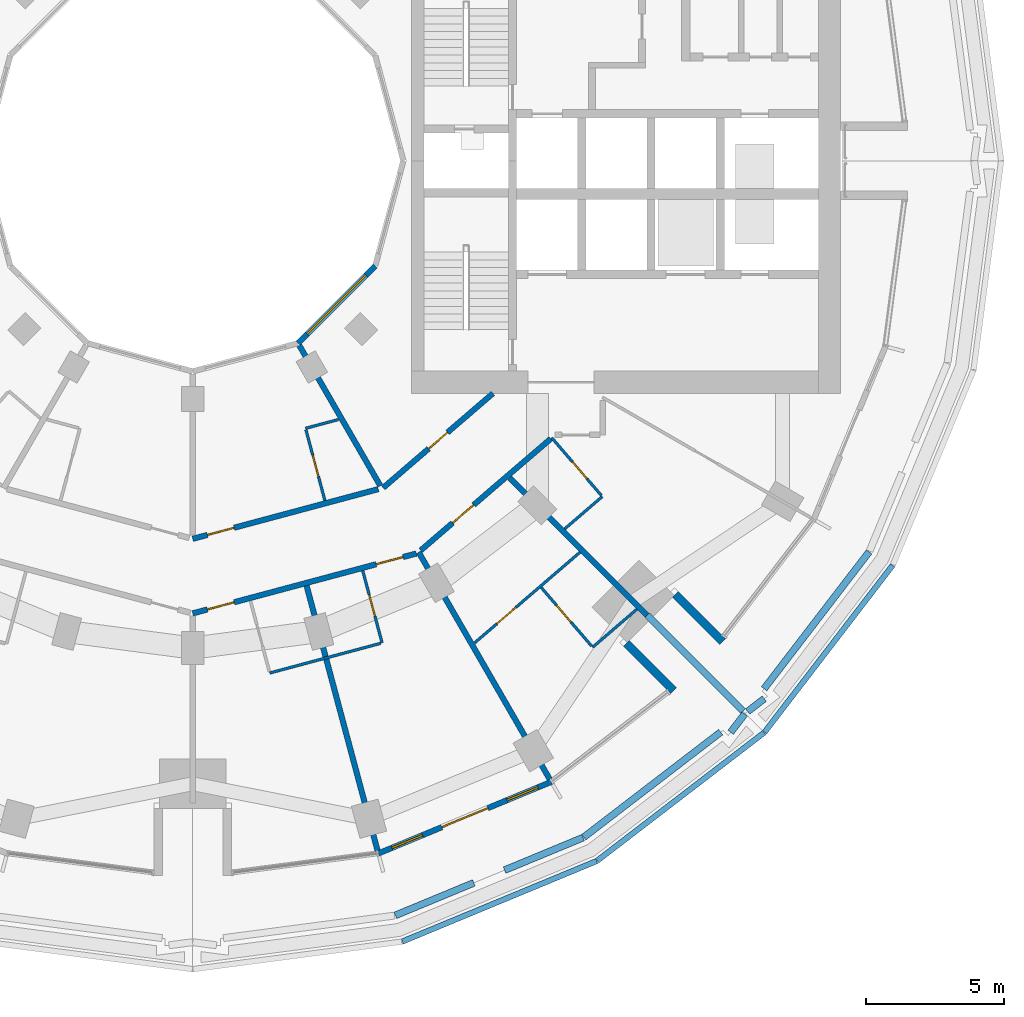
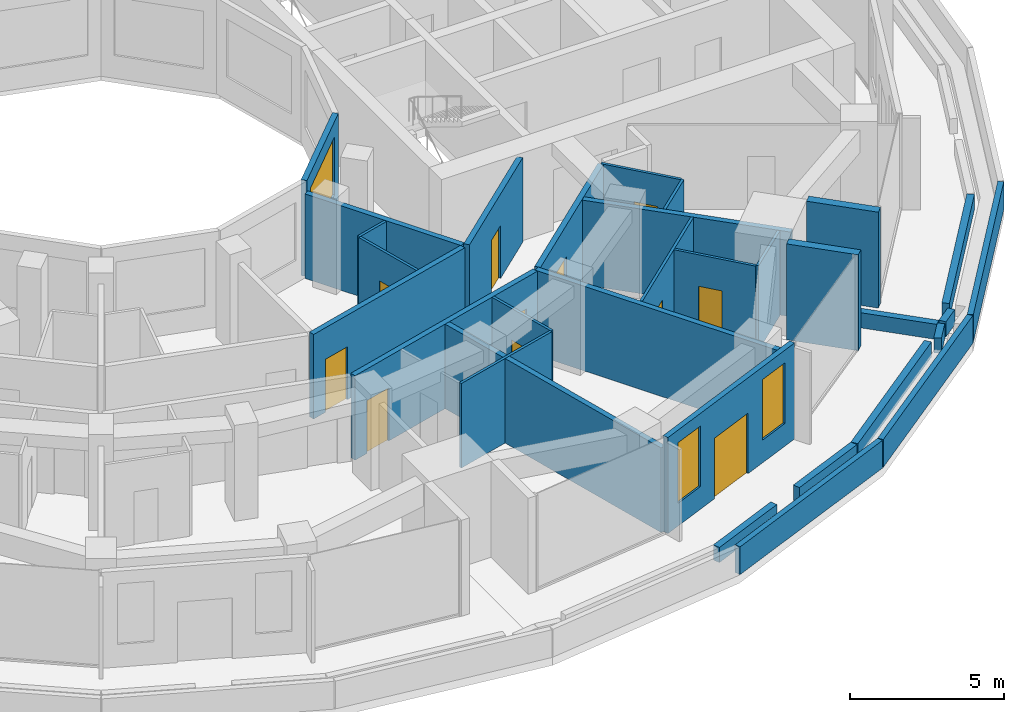
# One storey, part 12 of 19: 31 walls, 11 doors, 3 windows, 14 openings.
"""IFC4 building model written with IfcOpenShell, lengths in metres."""

from ifc_helpers import new_model, si_unit, direction, frame, frame_2d, origin, place, context, subcontext, project, spatial, rectangle, extrude, material, layer, layer_set, type_object, element, fill, save


model = new_model("IFC4")

# Units and contexts
model_context = context("Model", 3, precision=1e-05, world=origin(), true_north=direction((0.0, 1.0)))
body_context = subcontext(model_context, "Body", "Model", "MODEL_VIEW")
ifc_project = project(units=[si_unit("LENGTHUNIT", "METRE"), si_unit("AREAUNIT", "SQUARE_METRE"), si_unit("VOLUMEUNIT", "CUBIC_METRE"), si_unit("PLANEANGLEUNIT", "RADIAN"), si_unit("MASSUNIT", "GRAM", prefix="KILO")], contexts=[model_context])

# Site, building, storey
site_placement = place(None, origin())
site = spatial("IfcSite", under=ifc_project, at=site_placement, CompositionType="ELEMENT")
building_placement = place(site_placement, origin())
building = spatial("IfcBuilding", under=site, at=building_placement, Name="Torre Brocal", CompositionType="ELEMENT")
storey_placement = place(building_placement, frame((0.0, 0.0, 28.800048828125)))
storey = spatial("IfcBuildingStorey", under=building, at=storey_placement, Name="L05", CompositionType="ELEMENT", Elevation=28.800048828125)

# Wall, openings, door, windows
ifc_material_1 = material(Name="Concrete C40", Category="concrete")
ifc_layer_1 = layer(ifc_material_1, 0.199951171875)
ifc_layer_set_1 = layer_set([ifc_layer_1], Name="Concrete C40")
wall_type_1 = type_object("IfcWallType", Name="EXTERNAL WALL 200", PredefinedType="NOTDEFINED", material=ifc_layer_set_1)
wall_1_placement = place(storey_placement, frame((86.703125, 49.9833984375, 0.0), z_axis=(0.0, 0.0, 1.0), x_axis=(0.923875115043, 0.382694096902, 0.0)))
wall_1 = element("IfcWall", 1, at=wall_1_placement, inside=storey, type_object=wall_type_1, Name="EXTERNAL WALL", PredefinedType="NOTDEFINED", context=body_context, shape_type="SweptSolid", body=[
    extrude(rectangle(XDim=6.760986328125, YDim=0.199951171875, at=frame_2d((3.38037109375, 0.0))), origin(), (0.0, 0.0, 1.0), 3.800048828125),
])
opening_1_placement = place(wall_1_placement, frame((0.52685546875, 0.0, 0.89990234375)))
opening_1 = element("IfcOpeningElement", 2, at=opening_1_placement, cuts=wall_1, Name="Opening W3", PredefinedType="OPENING", context=body_context, shape_type="SweptSolid", body=[
    extrude(rectangle(XDim=1.199951171875, YDim=2.39990234375, at=frame_2d((0.60009765625, 1.199951171875))), frame((0.0, 0.10986328125, 0.0), z_axis=(0.0, -1.0, 0.0), x_axis=(1.0, 0.0, 0.0)), (0.0, 0.0, 1.0), 0.219970703125),
])
opening_2_placement = place(wall_1_placement, frame((2.48046875, 0.0, 0.0)))
opening_2 = element("IfcOpeningElement", 3, at=opening_2_placement, cuts=wall_1, Name="Opening L05-E07", PredefinedType="OPENING", context=body_context, shape_type="SweptSolid", body=[
    extrude(rectangle(XDim=1.800048828125, YDim=2.39990234375, at=frame_2d((0.89990234375, 1.199951171875))), frame((0.0, 0.10986328125, 0.0), z_axis=(0.0, -1.0, 0.0), x_axis=(1.0, 0.0, 0.0)), (0.0, 0.0, 1.0), 0.219970703125),
])
opening_3_placement = place(wall_1_placement, frame((5.0341796875, 0.0, 0.89990234375)))
opening_3 = element("IfcOpeningElement", 4, at=opening_3_placement, cuts=wall_1, Name="Opening W3", PredefinedType="OPENING", context=body_context, shape_type="SweptSolid", body=[
    extrude(rectangle(XDim=1.199951171875, YDim=2.39990234375, at=frame_2d((0.60009765625, 1.199951171875))), frame((0.0, 0.10986328125, 0.0), z_axis=(0.0, -1.0, 0.0), x_axis=(1.0, 0.0, 0.0)), (0.0, 0.0, 1.0), 0.219970703125),
])
ifc_material_2 = material(Name="Aluminium and glass", Category="aluminium")
door_type_1 = type_object("IfcDoorType", Name="TERRACE DOUBLE DOOR 1800X2400", OperationType="DOUBLE_DOOR_SINGLE_SWING", PredefinedType="DOOR", material=ifc_material_2)
door_1_placement = place(opening_2_placement, frame((1.800048828125, 0.0, 0.0), z_axis=(0.0, 0.0, 1.0), x_axis=(-1.0, 0.0, 0.0)))
door_1 = element("IfcDoor", 5, at=door_1_placement, inside=storey, type_object=door_type_1, Name="DOOR L05-E07", OperationType="DOUBLE_DOOR_SINGLE_SWING", OverallHeight=2.39990234375, OverallWidth=1.800048828125, PredefinedType="DOOR", context=body_context, shape_type="SweptSolid", body=[
    extrude(rectangle(XDim=1.800048828125, YDim=2.39990234375, at=frame_2d((0.89990234375, 1.199951171875))), frame((0.0, 0.02490234375, 0.0), z_axis=(0.0, -1.0, 0.0), x_axis=(1.0, 0.0, 0.0)), (0.0, 0.0, 1.0), 0.050048828125),
])
fill(opening_2, door_1)
ifc_material_3 = material(Name="Aluminium and glass", Category="aluminium")
window_type_1 = type_object("IfcWindowType", Name="TERRACE WINDOW 1200X2400", PartitioningType="SINGLE_PANEL", PredefinedType="WINDOW", material=ifc_material_3)
window_1_placement = place(opening_1_placement, origin())
window_1 = element("IfcWindow", 6, at=window_1_placement, inside=storey, type_object=window_type_1, Name="TERRACE WINDOW 1200X2400", OverallHeight=2.39990234375, OverallWidth=1.199951171875, PartitioningType="SINGLE_PANEL", PredefinedType="WINDOW", context=body_context, shape_type="SweptSolid", body=[
    extrude(rectangle(XDim=1.199951171875, YDim=2.39990234375, at=frame_2d((0.60009765625, 1.199951171875))), frame((0.0, 0.030029296875, 0.0), z_axis=(0.0, -1.0, 0.0), x_axis=(1.0, 0.0, 0.0)), (0.0, 0.0, 1.0), 0.06005859375),
])
fill(opening_1, window_1)
window_2_placement = place(opening_3_placement, origin())
window_2 = element("IfcWindow", 7, at=window_2_placement, inside=storey, type_object=window_type_1, Name="TERRACE WINDOW 1200X2400", OverallHeight=2.39990234375, OverallWidth=1.199951171875, PartitioningType="SINGLE_PANEL", PredefinedType="WINDOW", context=body_context, shape_type="SweptSolid", body=[
    extrude(rectangle(XDim=1.199951171875, YDim=2.39990234375, at=frame_2d((0.60009765625, 1.199951171875))), frame((0.0, 0.030029296875, 0.0), z_axis=(0.0, -1.0, 0.0), x_axis=(1.0, 0.0, 0.0)), (0.0, 0.0, 1.0), 0.06005859375),
])
fill(opening_3, window_2)

# Walls
ifc_material_4 = material(Name="Concrete C80", Category="concrete")
ifc_layer_2 = layer(ifc_material_4, 0.300048828125)
ifc_layer_set_2 = layer_set([ifc_layer_2], Name="Concrete C80")
wall_type_2 = type_object("IfcWallType", Name="NOTCH RETURN WALL 300 C80", PredefinedType="NOTDEFINED", material=ifc_layer_set_2)
for number, where, z_axis, x_axis, name in (
    (8, (95.662353515625, 57.56982421875, 0.0), (0.0, 0.0, 1.0), (0.707106781187, -0.707106781187, 0.0), "NOTCH RETURN WALL"),
    (9, (97.43017578125, 59.337646484375, 0.0), (0.0, 0.0, 1.0), (0.707106781187, -0.707106781187, 0.0), "NOTCH RETURN WALL"),
):
    element("IfcWall", number, at=place(storey_placement, frame(where, z_axis=z_axis, x_axis=x_axis)), inside=storey, type_object=wall_type_2, Name=name, PredefinedType="NOTDEFINED", context=body_context, shape_type="SweptSolid", body=[
        extrude(rectangle(XDim=2.415771484375, YDim=0.300048828125, at=frame_2d((1.2080078125, 0.0))), origin(), (0.0, 0.0, 1.0), 3.800048828125),
    ])
ifc_material_5 = material(Name="Concrete C40", Category="concrete")
ifc_layer_3 = layer(ifc_material_5, 0.199951171875)
ifc_layer_set_3 = layer_set([ifc_layer_3], Name="Concrete C40")
wall_type_3 = type_object("IfcWallType", Name="PARAPET WALL 200 THICK 1100 HIGH 6", PredefinedType="PARAPET", material=ifc_layer_set_3)
for number, where, z_axis, x_axis, name in (
    (10, (105.277587890625, 60.390869140625, 0.0), (0.0, 0.0, 1.0), (-0.608742572971, -0.793367808682, 0.0), "PARAPET WALL 3"),
    (11, (100.63525390625, 54.34619140625, 0.0), (0.0, 0.0, 1.0), (-0.793367808682, -0.608742572971, 0.0), "PARAPET WALL 4"),
):
    element("IfcWall", number, at=place(storey_placement, frame(where, z_axis=z_axis, x_axis=x_axis)), inside=storey, type_object=wall_type_3, Name=name, PredefinedType="PARAPET", context=body_context, shape_type="SweptSolid", body=[
        extrude(rectangle(XDim=7.595703125, YDim=0.199951171875, at=frame_2d((3.7978515625, 0.0))), origin(), (0.0, 0.0, 1.0), 1.099853515625),
    ])
wall_2_placement = place(storey_placement, frame((94.58642578125, 49.709228515625, 0.0), z_axis=(0.0, 0.0, 1.0), x_axis=(-0.923876582616, -0.382690553965, 0.0)))
element("IfcWall", 12, at=wall_2_placement, inside=storey, type_object=wall_type_3, Name="PARAPET WALL 5", PredefinedType="PARAPET", context=body_context, shape_type="SweptSolid", body=[
    extrude(rectangle(XDim=7.595458984375, YDim=0.199951171875, at=frame_2d((3.7978515625, 0.0))), origin(), (0.0, 0.0, 1.0), 1.099853515625),
])
ifc_material_6 = material(Name="Gypsum board", Category="Gypsum")
ifc_layer_4 = layer(ifc_material_6, 0.10009765625)
ifc_layer_set_4 = layer_set([ifc_layer_4], Name="Gypsum board")
wall_type_4 = type_object("IfcWallType", Name="PARTITION 100", PredefinedType="PARTITIONING", material=ifc_layer_set_4)
wall_3_placement = place(storey_placement, frame((82.781982421875, 56.5009765625, 0.0), z_axis=(0.0, 0.0, 1.0), x_axis=(0.965999228418, 0.258544949083, 0.0)))
element("IfcWall", 13, at=wall_3_placement, inside=storey, type_object=wall_type_4, Name="BATHROOM WALL", PredefinedType="PARTITIONING", context=body_context, shape_type="SweptSolid", body=[
    extrude(rectangle(XDim=4.150146484375, YDim=0.10009765625, at=frame_2d((2.0751953125, 0.0))), origin(), (0.0, 0.0, 1.0), 3.349853515625),
])

# Wall, opening, door
wall_4_placement = place(storey_placement, frame((84.0869140625, 65.288818359375, 0.0), z_axis=(0.0, 0.0, 1.0), x_axis=(0.258929459649, -0.965896234037, 0.0)))
wall_4 = element("IfcWall", 14, at=wall_4_placement, inside=storey, type_object=wall_type_4, Name="BATHROOM WALL", PredefinedType="PARTITIONING", context=body_context, shape_type="SweptSolid", body=[
    extrude(rectangle(XDim=2.650390625, YDim=0.10009765625, at=frame_2d((1.3251953125, 0.0))), origin(), (0.0, 0.0, 1.0), 3.349853515625),
])
opening_4_placement = place(wall_4_placement, frame((0.9501953125, 0.0, 0.0)))
opening_4 = element("IfcOpeningElement", 15, at=opening_4_placement, cuts=wall_4, Name="Opening H01-D45", PredefinedType="OPENING", context=body_context, shape_type="SweptSolid", body=[
    extrude(rectangle(XDim=0.800048828125, YDim=2.10009765625, at=frame_2d((0.39990234375, 1.050048828125))), frame((0.0, 0.06005859375, 0.0), z_axis=(0.0, -1.0, 0.0), x_axis=(1.0, 0.0, 0.0)), (0.0, 0.0, 1.0), 0.1201171875),
])
ifc_material_7 = material(Name="Timber", Category="wood")
door_type_2 = type_object("IfcDoorType", Name="BATHROOM DOOR 800X2100", OperationType="SINGLE_SWING_LEFT", PredefinedType="DOOR", material=ifc_material_7)
door_2_placement = place(opening_4_placement, origin())
door_2 = element("IfcDoor", 16, at=door_2_placement, inside=storey, type_object=door_type_2, Name="H01-D45", OperationType="SINGLE_SWING_RIGHT", OverallHeight=2.10009765625, OverallWidth=0.800048828125, PredefinedType="DOOR", context=body_context, shape_type="SweptSolid", body=[
    extrude(rectangle(XDim=0.800048828125, YDim=2.10009765625, at=frame_2d((0.39990234375, 1.050048828125))), frame((0.0, 0.02490234375, 0.0), z_axis=(0.0, -1.0, 0.0), x_axis=(1.0, 0.0, 0.0)), (0.0, 0.0, 1.0), 0.050048828125),
])
fill(opening_4, door_2)

# Wall
wall_5_placement = place(storey_placement, frame((84.073974609375, 65.3369140625, 0.0), z_axis=(0.0, 0.0, 1.0), x_axis=(0.965914351064, 0.258861867428, 0.0)))
element("IfcWall", 17, at=wall_5_placement, inside=storey, type_object=wall_type_4, Name="BATHROOM WALL", PredefinedType="PARTITIONING", context=body_context, shape_type="SweptSolid", body=[
    extrude(rectangle(XDim=1.22900390625, YDim=0.10009765625, at=frame_2d((0.614501953125, 0.0))), origin(), (0.0, 0.0, 1.0), 3.349853515625),
])

# Wall, opening, door
wall_6_placement = place(storey_placement, frame((86.139892578125, 60.196044921875, 0.0), z_axis=(0.0, 0.0, 1.0), x_axis=(0.258945475746, -0.965891940432, 0.0)))
wall_6 = element("IfcWall", 18, at=wall_6_placement, inside=storey, type_object=wall_type_4, Name="BATHROOM WALL", PredefinedType="PARTITIONING", context=body_context, shape_type="SweptSolid", body=[
    extrude(rectangle(XDim=2.7001953125, YDim=0.10009765625, at=frame_2d((1.35009765625, 0.0))), origin(), (0.0, 0.0, 1.0), 3.349853515625),
])
opening_5_placement = place(wall_6_placement, frame((0.89990234375, 0.0, 0.0)))
opening_5 = element("IfcOpeningElement", 19, at=opening_5_placement, cuts=wall_6, Name="Opening H01-D33", PredefinedType="OPENING", context=body_context, shape_type="SweptSolid", body=[
    extrude(rectangle(XDim=0.800048828125, YDim=2.10009765625, at=frame_2d((0.39990234375, 1.050048828125))), frame((0.0, 0.06005859375, 0.0), z_axis=(0.0, -1.0, 0.0), x_axis=(1.0, 0.0, 0.0)), (0.0, 0.0, 1.0), 0.1201171875),
])
door_3_placement = place(opening_5_placement, frame((0.800048828125, 0.0, 0.0), z_axis=(0.0, 0.0, 1.0), x_axis=(-1.0, 0.0, 0.0)))
door_3 = element("IfcDoor", 20, at=door_3_placement, inside=storey, type_object=door_type_2, Name="H01-D33", OperationType="SINGLE_SWING_RIGHT", OverallHeight=2.10009765625, OverallWidth=0.800048828125, PredefinedType="DOOR", context=body_context, shape_type="SweptSolid", body=[
    extrude(rectangle(XDim=0.800048828125, YDim=2.10009765625, at=frame_2d((0.39990234375, 1.050048828125))), frame((0.0, 0.02490234375, 0.0), z_axis=(0.0, -1.0, 0.0), x_axis=(1.0, 0.0, 0.0)), (0.0, 0.0, 1.0), 0.050048828125),
])
fill(opening_5, door_3)

wall_7_placement = place(storey_placement, frame((90.17822265625, 57.5869140625, 0.0), z_axis=(0.0, 0.0, 1.0), x_axis=(0.758140003227, 0.652091815243, 0.0)))
wall_7 = element("IfcWall", 21, at=wall_7_placement, inside=storey, type_object=wall_type_4, Name="BATHROOM WALL", PredefinedType="PARTITIONING", context=body_context, shape_type="SweptSolid", body=[
    extrude(rectangle(XDim=5.02099609375, YDim=0.10009765625, at=frame_2d((2.510498046875, 0.0))), origin(), (0.0, 0.0, 1.0), 3.349853515625),
])
opening_6_placement = place(wall_7_placement, frame((1.070556640625, 0.0, 0.0)))
opening_6 = element("IfcOpeningElement", 22, at=opening_6_placement, cuts=wall_7, Name="Opening H01-D30", PredefinedType="OPENING", context=body_context, shape_type="SweptSolid", body=[
    extrude(rectangle(XDim=0.89990234375, YDim=2.10009765625, at=frame_2d((0.449951171875, 1.050048828125))), frame((0.0, 0.06005859375, 0.0), z_axis=(0.0, -1.0, 0.0), x_axis=(1.0, 0.0, 0.0)), (0.0, 0.0, 1.0), 0.1201171875),
])
ifc_material_8 = material(Name="Timber", Category="wood")
door_type_3 = type_object("IfcDoorType", Name="ROOM DOOR 900X2100", OperationType="SINGLE_SWING_LEFT", PredefinedType="DOOR", material=ifc_material_8)
door_4_placement = place(opening_6_placement, origin())
door_4 = element("IfcDoor", 23, at=door_4_placement, inside=storey, type_object=door_type_3, Name="H01-D30", OperationType="SINGLE_SWING_LEFT", OverallHeight=2.10009765625, OverallWidth=0.89990234375, PredefinedType="DOOR", context=body_context, shape_type="SweptSolid", body=[
    extrude(rectangle(XDim=0.89990234375, YDim=2.10009765625, at=frame_2d((0.449951171875, 1.050048828125))), frame((0.0, 0.02490234375, 0.0), z_axis=(0.0, -1.0, 0.0), x_axis=(1.0, 0.0, 0.0)), (0.0, 0.0, 1.0), 0.050048828125),
])
fill(opening_6, door_4)

wall_8_placement = place(storey_placement, frame((92.584716796875, 59.591064453125, 0.0), z_axis=(0.0, 0.0, 1.0), x_axis=(0.652011200591, -0.758209334092, 0.0)))
wall_8 = element("IfcWall", 24, at=wall_8_placement, inside=storey, type_object=wall_type_4, Name="BATHROOM WALL", PredefinedType="PARTITIONING", context=body_context, shape_type="SweptSolid", body=[
    extrude(rectangle(XDim=2.800048828125, YDim=0.10009765625, at=frame_2d((1.39990234375, 0.0))), origin(), (0.0, 0.0, 1.0), 3.349853515625),
])
opening_7_placement = place(wall_8_placement, frame((0.85009765625, 0.0, 0.0)))
opening_7 = element("IfcOpeningElement", 25, at=opening_7_placement, cuts=wall_8, Name="Opening H01-D31", PredefinedType="OPENING", context=body_context, shape_type="SweptSolid", body=[
    extrude(rectangle(XDim=0.800048828125, YDim=2.10009765625, at=frame_2d((0.39990234375, 1.050048828125))), frame((0.0, 0.06005859375, 0.0), z_axis=(0.0, -1.0, 0.0), x_axis=(1.0, 0.0, 0.0)), (0.0, 0.0, 1.0), 0.1201171875),
])
door_5_placement = place(opening_7_placement, origin())
door_5 = element("IfcDoor", 26, at=door_5_placement, inside=storey, type_object=door_type_2, Name="H01-D31", OperationType="SINGLE_SWING_LEFT", OverallHeight=2.10009765625, OverallWidth=0.800048828125, PredefinedType="DOOR", context=body_context, shape_type="SweptSolid", body=[
    extrude(rectangle(XDim=0.800048828125, YDim=2.10009765625, at=frame_2d((0.39990234375, 1.050048828125))), frame((0.0, 0.02490234375, 0.0), z_axis=(0.0, -1.0, 0.0), x_axis=(1.0, 0.0, 0.0)), (0.0, 0.0, 1.0), 0.050048828125),
])
fill(opening_7, door_5)

wall_9_placement = place(storey_placement, frame((92.965087890625, 64.996826171875, 0.0), z_axis=(0.0, 0.0, 1.0), x_axis=(0.652069888227, -0.758158862553, 0.0)))
wall_9 = element("IfcWall", 27, at=wall_9_placement, inside=storey, type_object=wall_type_4, Name="BATHROOM WALL", PredefinedType="PARTITIONING", context=body_context, shape_type="SweptSolid", body=[
    extrude(rectangle(XDim=2.75, YDim=0.10009765625, at=frame_2d((1.375, 0.0))), origin(), (0.0, 0.0, 1.0), 3.349853515625),
])
opening_8_placement = place(wall_9_placement, frame((1.14990234375, 0.0, 0.0)))
opening_8 = element("IfcOpeningElement", 28, at=opening_8_placement, cuts=wall_9, Name="Opening H01-D27", PredefinedType="OPENING", context=body_context, shape_type="SweptSolid", body=[
    extrude(rectangle(XDim=0.800048828125, YDim=2.10009765625, at=frame_2d((0.39990234375, 1.050048828125))), frame((0.0, 0.06005859375, 0.0), z_axis=(0.0, -1.0, 0.0), x_axis=(1.0, 0.0, 0.0)), (0.0, 0.0, 1.0), 0.1201171875),
])
door_6_placement = place(opening_8_placement, frame((0.800048828125, 0.0, 0.0), z_axis=(0.0, 0.0, 1.0), x_axis=(-1.0, 0.0, 0.0)))
door_6 = element("IfcDoor", 29, at=door_6_placement, inside=storey, type_object=door_type_2, Name="H01-D27", OperationType="SINGLE_SWING_LEFT", OverallHeight=2.10009765625, OverallWidth=0.800048828125, PredefinedType="DOOR", context=body_context, shape_type="SweptSolid", body=[
    extrude(rectangle(XDim=0.800048828125, YDim=2.10009765625, at=frame_2d((0.39990234375, 1.050048828125))), frame((0.0, 0.02490234375, 0.0), z_axis=(0.0, -1.0, 0.0), x_axis=(1.0, 0.0, 0.0)), (0.0, 0.0, 1.0), 0.050048828125),
])
fill(opening_8, door_6)

# Walls
wall_10_placement = place(storey_placement, frame((93.434814453125, 61.707275390625, 0.0), z_axis=(0.0, 0.0, 1.0), x_axis=(0.758070495124, 0.652172618578, 0.0)))
element("IfcWall", 30, at=wall_10_placement, inside=storey, type_object=wall_type_4, Name="BATHROOM WALL", PredefinedType="PARTITIONING", context=body_context, shape_type="SweptSolid", body=[
    extrude(rectangle(XDim=1.7890625, YDim=0.10009765625, at=frame_2d((0.89453125, 0.0))), origin(), (0.0, 0.0, 1.0), 3.349853515625),
])
wall_11_placement = place(storey_placement, frame((94.443115234375, 57.429931640625, 0.0), z_axis=(0.0, 0.0, 1.0), x_axis=(0.757840386328, 0.65243999636, 0.0)))
element("IfcWall", 31, at=wall_11_placement, inside=storey, type_object=wall_type_4, Name="BATHROOM WALL", PredefinedType="PARTITIONING", context=body_context, shape_type="SweptSolid", body=[
    extrude(rectangle(XDim=2.10791015625, YDim=0.10009765625, at=frame_2d((1.053955078125, 0.0))), origin(), (0.0, 0.0, 1.0), 3.349853515625),
])

# Wall, openings, doors
ifc_material_9 = material(Name="Gypsum board", Category="Gypsum")
ifc_layer_5 = layer(ifc_material_9, 0.199951171875)
ifc_layer_set_5 = layer_set([ifc_layer_5], Name="Gypsum board")
wall_type_5 = type_object("IfcWallType", Name="PARTITION 200 EI60", PredefinedType="PARTITIONING", material=ifc_layer_set_5)
wall_12_placement = place(storey_placement, frame((79.999755859375, 58.65478515625, 0.0), z_axis=(0.0, 0.0, 1.0), x_axis=(0.965974635626, 0.258636817424, 0.0)))
wall_12 = element("IfcWall", 32, at=wall_12_placement, inside=storey, type_object=wall_type_5, Name="GUESTROOM CORRIDOR WALL", PredefinedType="PARTITIONING", context=body_context, shape_type="SweptSolid", body=[
    extrude(rectangle(XDim=8.359619140625, YDim=0.199951171875, at=frame_2d((4.1796875, 0.0))), origin(), (0.0, 0.0, 1.0), 3.349853515625),
])
opening_9_placement = place(wall_12_placement, frame((6.859619140625, 0.0, 0.0)))
opening_9 = element("IfcOpeningElement", 33, at=opening_9_placement, cuts=wall_12, Name="Opening H01-D32", PredefinedType="OPENING", context=body_context, shape_type="SweptSolid", body=[
    extrude(rectangle(XDim=1.0, YDim=2.10009765625, at=frame_2d((0.5, 1.050048828125))), frame((0.0, 0.10986328125, 0.0), z_axis=(0.0, -1.0, 0.0), x_axis=(1.0, 0.0, 0.0)), (0.0, 0.0, 1.0), 0.219970703125),
])
opening_10_placement = place(wall_12_placement, frame((0.550048828125, 0.0, 0.0)))
opening_10 = element("IfcOpeningElement", 34, at=opening_10_placement, cuts=wall_12, Name="Opening H01-D34", PredefinedType="OPENING", context=body_context, shape_type="SweptSolid", body=[
    extrude(rectangle(XDim=1.0, YDim=2.10009765625, at=frame_2d((0.5, 1.050048828125))), frame((0.0, 0.10986328125, 0.0), z_axis=(0.0, -1.0, 0.0), x_axis=(1.0, 0.0, 0.0)), (0.0, 0.0, 1.0), 0.219970703125),
])
ifc_material_10 = material(Name="Timber", Category="wood")
door_type_4 = type_object("IfcDoorType", Name="FLAT ENTRY DOOR FD30S 1000X2100", OperationType="SINGLE_SWING_RIGHT", PredefinedType="DOOR", material=ifc_material_10)
door_7_placement = place(opening_9_placement, frame((1.0, 0.0, 0.0), z_axis=(0.0, 0.0, 1.0), x_axis=(-1.0, 0.0, 0.0)))
door_7 = element("IfcDoor", 35, at=door_7_placement, inside=storey, type_object=door_type_4, Name="H01-D32", OperationType="SINGLE_SWING_RIGHT", OverallHeight=2.10009765625, OverallWidth=1.0, PredefinedType="DOOR", context=body_context, shape_type="SweptSolid", body=[
    extrude(rectangle(XDim=1.0, YDim=2.10009765625, at=frame_2d((0.5, 1.050048828125))), frame((0.0, 0.02490234375, 0.0), z_axis=(0.0, -1.0, 0.0), x_axis=(1.0, 0.0, 0.0)), (0.0, 0.0, 1.0), 0.050048828125),
])
fill(opening_9, door_7)
door_8_placement = place(opening_10_placement, frame((1.0, 0.0, 0.0), z_axis=(0.0, 0.0, 1.0), x_axis=(-1.0, 0.0, 0.0)))
door_8 = element("IfcDoor", 36, at=door_8_placement, inside=storey, type_object=door_type_4, Name="H01-D34", OperationType="SINGLE_SWING_LEFT", OverallHeight=2.10009765625, OverallWidth=1.0, PredefinedType="DOOR", context=body_context, shape_type="SweptSolid", body=[
    extrude(rectangle(XDim=1.0, YDim=2.10009765625, at=frame_2d((0.5, 1.050048828125))), frame((0.0, 0.02490234375, 0.0), z_axis=(0.0, -1.0, 0.0), x_axis=(1.0, 0.0, 0.0)), (0.0, 0.0, 1.0), 0.050048828125),
])
fill(opening_10, door_8)

# Wall, opening, door
wall_13_placement = place(storey_placement, frame((80.0, 61.345947265625, 0.0), z_axis=(0.0, 0.0, 1.0), x_axis=(0.965924181808, 0.258825182312, 0.0)))
wall_13 = element("IfcWall", 37, at=wall_13_placement, inside=storey, type_object=wall_type_5, Name="GUESTROOM CORRIDOR WALL", PredefinedType="PARTITIONING", context=body_context, shape_type="SweptSolid", body=[
    extrude(rectangle(XDim=6.939697265625, YDim=0.199951171875, at=frame_2d((3.4697265625, 0.0))), origin(), (0.0, 0.0, 1.0), 3.349853515625),
])
opening_11_placement = place(wall_13_placement, frame((0.550048828125, 0.0, 0.0)))
opening_11 = element("IfcOpeningElement", 38, at=opening_11_placement, cuts=wall_13, Name="Opening H01-D44", PredefinedType="OPENING", context=body_context, shape_type="SweptSolid", body=[
    extrude(rectangle(XDim=1.0, YDim=2.10009765625, at=frame_2d((0.5, 1.050048828125))), frame((0.0, 0.10986328125, 0.0), z_axis=(0.0, -1.0, 0.0), x_axis=(1.0, 0.0, 0.0)), (0.0, 0.0, 1.0), 0.219970703125),
])
door_9_placement = place(opening_11_placement, origin())
door_9 = element("IfcDoor", 39, at=door_9_placement, inside=storey, type_object=door_type_4, Name="H01-D44", OperationType="SINGLE_SWING_LEFT", OverallHeight=2.10009765625, OverallWidth=1.0, PredefinedType="DOOR", context=body_context, shape_type="SweptSolid", body=[
    extrude(rectangle(XDim=1.0, YDim=2.10009765625, at=frame_2d((0.5, 1.050048828125))), frame((0.0, 0.02490234375, 0.0), z_axis=(0.0, -1.0, 0.0), x_axis=(1.0, 0.0, 0.0)), (0.0, 0.0, 1.0), 0.050048828125),
])
fill(opening_11, door_9)

# Walls
wall_14_placement = place(storey_placement, frame((83.84814453125, 68.33251953125, 0.0), z_axis=(0.0, 0.0, 1.0), x_axis=(0.499951054106, -0.866053660865, 0.0)))
element("IfcWall", 40, at=wall_14_placement, inside=storey, type_object=wall_type_5, Name="BATHROOM WALL", PredefinedType="PARTITIONING", context=body_context, shape_type="SweptSolid", body=[
    extrude(rectangle(XDim=5.85498046875, YDim=0.199951171875, at=frame_2d((2.927490234375, 0.0))), origin(), (0.0, 0.0, 1.0), 3.349853515625),
])
wall_15_placement = place(storey_placement, frame((84.112060546875, 59.65234375, 0.0), z_axis=(0.0, 0.0, 1.0), x_axis=(0.258791091927, -0.965933315886, 0.0)))
element("IfcWall", 41, at=wall_15_placement, inside=storey, type_object=wall_type_5, Name="BATHROOM WALL", PredefinedType="PARTITIONING", context=body_context, shape_type="SweptSolid", body=[
    extrude(rectangle(XDim=9.909423828125, YDim=0.199951171875, at=frame_2d((4.95458984375, 0.0))), origin(), (0.0, 0.0, 1.0), 3.349853515625),
])

# Wall, opening, door
wall_16_placement = place(storey_placement, frame((86.876953125, 63.18896484375, 0.0), z_axis=(0.0, 0.0, 1.0), x_axis=(0.758075808328, 0.652166442581, 0.0)))
wall_16 = element("IfcWall", 42, at=wall_16_placement, inside=storey, type_object=wall_type_5, Name="CORRIDOR WALL", PredefinedType="PARTITIONING", context=body_context, shape_type="SweptSolid", body=[
    extrude(rectangle(XDim=5.23046875, YDim=0.199951171875, at=frame_2d((2.615234375, 0.0))), origin(), (0.0, 0.0, 1.0), 3.349853515625),
])
opening_12_placement = place(wall_16_placement, frame((2.165283203125, 0.0, 0.0)))
opening_12 = element("IfcOpeningElement", 43, at=opening_12_placement, cuts=wall_16, Name="Opening H01-D43", PredefinedType="OPENING", context=body_context, shape_type="SweptSolid", body=[
    extrude(rectangle(XDim=0.89990234375, YDim=2.10009765625, at=frame_2d((0.449951171875, 1.050048828125))), frame((0.0, 0.10986328125, 0.0), z_axis=(0.0, -1.0, 0.0), x_axis=(1.0, 0.0, 0.0)), (0.0, 0.0, 1.0), 0.219970703125),
])
door_10_placement = place(opening_12_placement, origin())
door_10 = element("IfcDoor", 44, at=door_10_placement, inside=storey, type_object=door_type_3, Name="H01-D43", OperationType="SINGLE_SWING_RIGHT", OverallHeight=2.10009765625, OverallWidth=0.89990234375, PredefinedType="DOOR", context=body_context, shape_type="SweptSolid", body=[
    extrude(rectangle(XDim=0.89990234375, YDim=2.10009765625, at=frame_2d((0.449951171875, 1.050048828125))), frame((0.0, 0.02490234375, 0.0), z_axis=(0.0, -1.0, 0.0), x_axis=(1.0, 0.0, 0.0)), (0.0, 0.0, 1.0), 0.050048828125),
])
fill(opening_12, door_10)

wall_17_placement = place(storey_placement, frame((88.234619140625, 60.931396484375, 0.0), z_axis=(0.0, 0.0, 1.0), x_axis=(0.758799498714, 0.651324282329, 0.0)))
wall_17 = element("IfcWall", 45, at=wall_17_placement, inside=storey, type_object=wall_type_5, Name="FLAT ENTRANCE WALL", PredefinedType="PARTITIONING", context=body_context, shape_type="SweptSolid", body=[
    extrude(rectangle(XDim=6.185546875, YDim=0.199951171875, at=frame_2d((3.0927734375, 0.0))), origin(), (0.0, 0.0, 1.0), 3.349853515625),
])
opening_13_placement = place(wall_17_placement, frame((1.518798828125, 0.0, 0.0)))
opening_13 = element("IfcOpeningElement", 46, at=opening_13_placement, cuts=wall_17, Name="Opening H01-D29", PredefinedType="OPENING", context=body_context, shape_type="SweptSolid", body=[
    extrude(rectangle(XDim=1.0, YDim=2.10009765625, at=frame_2d((0.5, 1.050048828125))), frame((0.0, 0.10986328125, 0.0), z_axis=(0.0, -1.0, 0.0), x_axis=(1.0, 0.0, 0.0)), (0.0, 0.0, 1.0), 0.219970703125),
])
door_11_placement = place(opening_13_placement, frame((1.0, 0.0, 0.0), z_axis=(0.0, 0.0, 1.0), x_axis=(-1.0, 0.0, 0.0)))
door_11 = element("IfcDoor", 47, at=door_11_placement, inside=storey, type_object=door_type_4, Name="H01-D29", OperationType="SINGLE_SWING_LEFT", OverallHeight=2.10009765625, OverallWidth=1.0, PredefinedType="DOOR", context=body_context, shape_type="SweptSolid", body=[
    extrude(rectangle(XDim=1.0, YDim=2.10009765625, at=frame_2d((0.5, 1.050048828125))), frame((0.0, 0.02490234375, 0.0), z_axis=(0.0, -1.0, 0.0), x_axis=(1.0, 0.0, 0.0)), (0.0, 0.0, 1.0), 0.050048828125),
])
fill(opening_13, door_11)

# Walls
wall_18_placement = place(storey_placement, frame((88.159912109375, 60.863037109375, 0.0), z_axis=(0.0, 0.0, 1.0), x_axis=(0.499946996988, -0.866056002925, 0.0)))
element("IfcWall", 48, at=wall_18_placement, inside=storey, type_object=wall_type_5, Name="PARTY PARTITION", PredefinedType="PARTITIONING", context=body_context, shape_type="SweptSolid", body=[
    extrude(rectangle(XDim=9.474609375, YDim=0.199951171875, at=frame_2d((4.7373046875, 0.0))), origin(), (0.0, 0.0, 1.0), 3.349853515625),
])
wall_19_placement = place(storey_placement, frame((91.449462890625, 63.5478515625, 0.0), z_axis=(0.0, 0.0, 1.0), x_axis=(0.706984804638, -0.707228736698, 0.0)))
element("IfcWall", 49, at=wall_19_placement, inside=storey, type_object=wall_type_5, Name="BATHROOM WALL", PredefinedType="PARTITIONING", context=body_context, shape_type="SweptSolid", body=[
    extrude(rectangle(XDim=7.006103515625, YDim=0.199951171875, at=frame_2d((3.5029296875, 0.0))), origin(), (0.0, 0.0, 1.0), 3.349853515625),
])
ifc_material_11 = material(Name="Concrete C35", Category="concrete")
ifc_layer_6 = layer(ifc_material_11, 0.25)
ifc_layer_set_6 = layer_set([ifc_layer_6], Name="Concrete C35")
wall_type_6 = type_object("IfcWallType", Name="PLANTER WALL 250 THICK 600 HIGH 6", PredefinedType="USERDEFINED", material=ifc_layer_set_6)
wall_20_placement = place(storey_placement, frame((99.936279296875, 55.0234375, 0.0), z_axis=(0.0, 0.0, 1.0), x_axis=(-0.608780379288, -0.793338798871, 0.0)))
element("IfcWall", 50, at=wall_20_placement, inside=storey, type_object=wall_type_6, Name="PLANTER", ObjectType="PLANTER", PredefinedType="USERDEFINED", context=body_context, shape_type="SweptSolid", body=[
    extrude(rectangle(XDim=0.83740234375, YDim=0.25, at=frame_2d((0.418701171875, 0.0))), origin(), (0.0, 0.0, 1.0), 0.599853515625),
])
wall_21_placement = place(storey_placement, frame((99.066650390625, 54.365478515625, 0.0), z_axis=(0.0, 0.0, 1.0), x_axis=(-0.793355967101, -0.608758005668, 0.0)))
element("IfcWall", 51, at=wall_21_placement, inside=storey, type_object=wall_type_6, Name="PLANTER", ObjectType="PLANTER", PredefinedType="USERDEFINED", context=body_context, shape_type="SweptSolid", body=[
    extrude(rectangle(XDim=6.23193359375, YDim=0.25, at=frame_2d((3.115966796875, 0.0))), origin(), (0.0, 0.0, 1.0), 0.599853515625),
])
for number, where, z_axis, x_axis, name in (
    (52, (94.09423828125, 50.555419921875, 0.0), (0.0, 0.0, 1.0), (-0.923849931538, -0.38275488762, 0.0), "PLANTER"),
    (53, (90.15234375, 48.922607421875, 0.0), (0.0, 0.0, 1.0), (-0.923861592916, -0.382726739509, 0.0), "PLANTER"),
):
    element("IfcWall", number, at=place(storey_placement, frame(where, z_axis=z_axis, x_axis=x_axis)), inside=storey, type_object=wall_type_6, Name=name, ObjectType="PLANTER", PredefinedType="USERDEFINED", context=body_context, shape_type="SweptSolid", body=[
        extrude(rectangle(XDim=3.06689453125, YDim=0.25, at=frame_2d((1.533447265625, 0.0))), origin(), (0.0, 0.0, 1.0), 0.599853515625),
    ])
wall_22_placement = place(storey_placement, frame((104.42822265625, 60.87744140625, 0.0), z_axis=(0.0, 0.0, 1.0), x_axis=(-0.608758005668, -0.793355967101, 0.0)))
element("IfcWall", 54, at=wall_22_placement, inside=storey, type_object=wall_type_6, Name="PLANTER", ObjectType="PLANTER", PredefinedType="USERDEFINED", context=body_context, shape_type="SweptSolid", body=[
    extrude(rectangle(XDim=6.23193359375, YDim=0.25, at=frame_2d((3.115966796875, 0.0))), origin(), (0.0, 0.0, 1.0), 0.599853515625),
])
wall_23_placement = place(storey_placement, frame((100.640869140625, 55.573486328125, 0.0), z_axis=(0.0, 0.0, 1.0), x_axis=(-0.793211449577, -0.60894629998, 0.0)))
element("IfcWall", 55, at=wall_23_placement, inside=storey, type_object=wall_type_6, Name="PLANTER", ObjectType="PLANTER", PredefinedType="USERDEFINED", context=body_context, shape_type="SweptSolid", body=[
    extrude(rectangle(XDim=0.756591796875, YDim=0.25, at=frame_2d((0.37841796875, 0.0))), origin(), (0.0, 0.0, 1.0), 0.599853515625),
])
wall_24_placement = place(storey_placement, frame((99.876220703125, 55.123779296875, 0.0), z_axis=(0.0, 0.0, 1.0), x_axis=(-0.707106781187, 0.707106781187, 0.0)))
element("IfcWall", 56, at=wall_24_placement, inside=storey, type_object=wall_type_6, Name="PLANTER", ObjectType="PLANTER", PredefinedType="USERDEFINED", context=body_context, shape_type="SweptSolid", body=[
    extrude(rectangle(XDim=4.909423828125, YDim=0.25, at=frame_2d((2.45458984375, 0.0))), origin(), (0.0, 0.0, 1.0), 0.599853515625),
])

# Wall, opening, window
ifc_material_12 = material(Name="Concrete C40", Category="concrete")
ifc_layer_7 = layer(ifc_material_12, 0.199951171875)
ifc_layer_set_7 = layer_set([ifc_layer_7], Name="Concrete C40")
wall_type_7 = type_object("IfcWallType", Name="WELL FACADE WALL 200", PredefinedType="NOTDEFINED", material=ifc_layer_set_7)
wall_25_placement = place(storey_placement, frame((83.8017578125, 68.4150390625, 0.0), z_axis=(0.0, 0.0, 1.0), x_axis=(0.707106781187, 0.707106781187, 0.0)))
wall_25 = element("IfcWall", 57, at=wall_25_placement, inside=storey, type_object=wall_type_7, Name="WELL FACADE WALL", PredefinedType="NOTDEFINED", context=body_context, shape_type="SweptSolid", body=[
    extrude(rectangle(XDim=3.93603515625, YDim=0.199951171875, at=frame_2d((1.968017578125, 0.0))), origin(), (0.0, 0.0, 1.0), 3.800048828125),
])
opening_14_placement = place(wall_25_placement, frame((0.468017578125, 0.0, 0.89990234375)))
opening_14 = element("IfcOpeningElement", 58, at=opening_14_placement, cuts=wall_25, Name="Opening W1", PredefinedType="OPENING", context=body_context, shape_type="SweptSolid", body=[
    extrude(rectangle(XDim=3.0, YDim=2.300048828125, at=frame_2d((1.5, 1.14990234375))), frame((0.0, 0.10986328125, 0.0), z_axis=(0.0, -1.0, 0.0), x_axis=(1.0, 0.0, 0.0)), (0.0, 0.0, 1.0), 0.219970703125),
])
ifc_material_13 = material(Name="Aluminium and glass", Category="aluminium")
window_type_2 = type_object("IfcWindowType", Name="WELL WINDOW 3000X2300", PartitioningType="SINGLE_PANEL", PredefinedType="WINDOW", material=ifc_material_13)
window_3_placement = place(opening_14_placement, origin())
window_3 = element("IfcWindow", 59, at=window_3_placement, inside=storey, type_object=window_type_2, Name="WELL WINDOW 3000X2300", OverallHeight=2.300048828125, OverallWidth=3.0, PartitioningType="SINGLE_PANEL", PredefinedType="WINDOW", context=body_context, shape_type="SweptSolid", body=[
    extrude(rectangle(XDim=3.0, YDim=2.300048828125, at=frame_2d((1.5, 1.14990234375))), frame((0.0, 0.030029296875, 0.0), z_axis=(0.0, -1.0, 0.0), x_axis=(1.0, 0.0, 0.0)), (0.0, 0.0, 1.0), 0.06005859375),
])
fill(opening_14, window_3)

save(model, "model.ifc")
